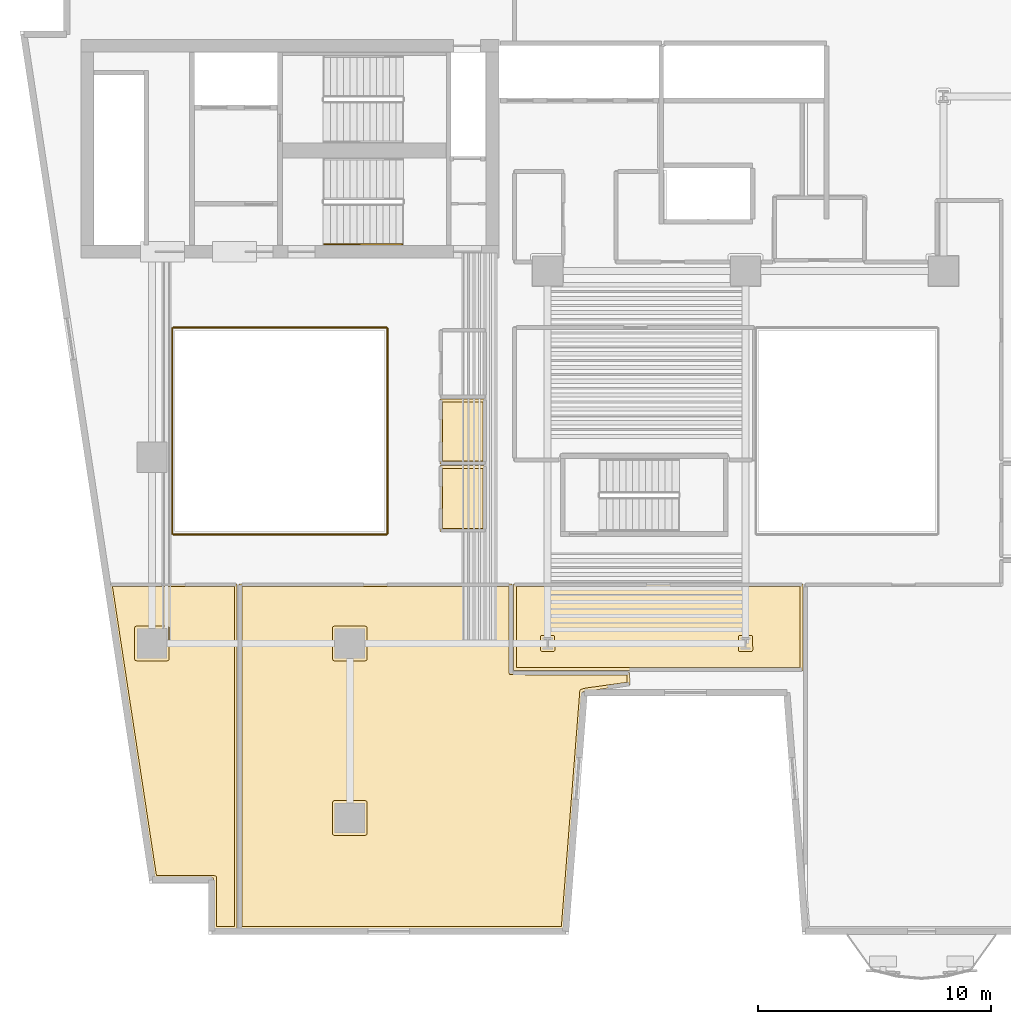
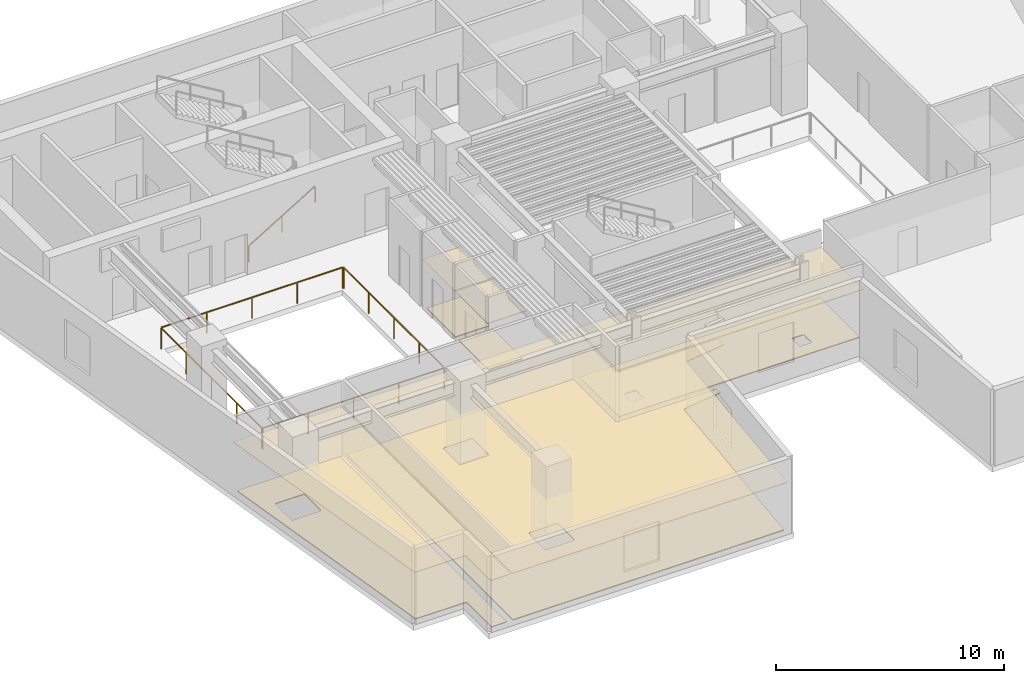
# One storey, part 7 of 11: 10 coverings, 5 railings.
"""IFC4 building model written with IfcOpenShell, lengths in metres."""

from ifc_helpers import new_model, si_unit, direction, frame, origin, origin_2d, place, context, subcontext, project, spatial, polyline, rectangle, outline, extrude, material, layer, layer_set, type_object, element, save


model = new_model("IFC4")

# Units and contexts
model_context = context("Model", 3, precision=1e-05, world=origin(), true_north=direction((0.0, 1.0)))
body_context = subcontext(model_context, "Body", "Model", "MODEL_VIEW")
ifc_project = project(units=[si_unit("LENGTHUNIT", "METRE"), si_unit("AREAUNIT", "SQUARE_METRE"), si_unit("VOLUMEUNIT", "CUBIC_METRE"), si_unit("PLANEANGLEUNIT", "RADIAN"), si_unit("MASSUNIT", "GRAM", prefix="KILO")], contexts=[model_context])

# Site, building, storey
site_placement = place(None, origin())
site = spatial("IfcSite", under=ifc_project, at=site_placement, CompositionType="ELEMENT")
building_placement = place(site_placement, origin())
building = spatial("IfcBuilding", under=site, at=building_placement, Name="Caeloran Harvest Quay", CompositionType="ELEMENT")
storey_placement = place(building_placement, frame((0.0, 0.0, 101.800048828125)))
storey = spatial("IfcBuildingStorey", under=building, at=storey_placement, Name="L23", CompositionType="ELEMENT", Elevation=101.800048828125)

# Coverings
ifc_material_1 = material(Name="Perforated Mineral-Fibre Acoustic Ceiling Tile", Category="ceiling")
ifc_layer_1 = layer(ifc_material_1, 0.0400390625, Name="Perforated Mineral-Fibre Acoustic Ceiling Tile")
ifc_layer_set_1 = layer_set([ifc_layer_1], Name="Perforated Mineral-Fibre Acoustic Ceiling Tile")
covering_type_1 = type_object("IfcCoveringType", Name="COV-CEILING-ACOUSTIC", PredefinedType="CEILING", material=ifc_layer_set_1)
covering_1_placement = place(storey_placement, frame((0.0, 0.0, 2.599853515625)))
element("IfcCovering", 1, at=covering_1_placement, inside=storey, type_object=covering_type_1, Name="L23 Female Washroom WC Acoustic Ceiling", PredefinedType="CEILING", context=body_context, shape_type="SweptSolid", body=[
    extrude(outline(polyline([(22.840087890625, 22.7099609375), (20.8701171875, 22.7099609375), (20.8701171875, 25.489990234375), (22.840087890625, 25.489990234375), (22.840087890625, 22.7099609375)])), origin(), (0.0, 0.0, 1.0), 0.0400390625),
])
covering_2_placement = place(storey_placement, frame((0.0, 0.0, 2.599853515625)))
element("IfcCovering", 2, at=covering_2_placement, inside=storey, type_object=covering_type_1, Name="L23 Accessible Unisex Washroom WC Acoustic Ceiling", PredefinedType="CEILING", context=body_context, shape_type="SweptSolid", body=[
    extrude(outline(polyline([(22.840087890625, 19.81005859375), (20.8701171875, 19.81005859375), (20.8701171875, 22.639892578125), (22.840087890625, 22.639892578125), (22.840087890625, 19.81005859375)])), origin(), (0.0, 0.0, 1.0), 0.0400390625),
])
covering_3_placement = place(storey_placement, frame((0.0, 0.0, 2.599853515625)))
element("IfcCovering", 3, at=covering_3_placement, inside=storey, type_object=covering_type_1, Name="Executive Agronomy Design Studio Acoustic Ceiling", PredefinedType="CEILING", context=body_context, shape_type="SweptSolid", body=[
    extrude(outline(polyline([(29.0078125, 13.760009765625), (29.047607421875, 13.2294921875), (27.3232421875, 12.969970703125), (27.18115234375, 12.968994140625), (26.99560546875, 12.920654296875), (26.199462890625, 2.719970703125), (12.239990234375, 2.719970703125), (12.239990234375, 17.56005859375), (23.9599609375, 17.56005859375), (23.9599609375, 13.760009765625), (29.0078125, 13.760009765625)])), origin(), (0.0, 0.0, 1.0), 0.0400390625),
])
covering_4_placement = place(storey_placement, frame((0.0, 0.0, 2.599853515625)))
element("IfcCovering", 4, at=covering_4_placement, inside=storey, type_object=covering_type_1, Name="Regional Food Policy Boardroom Acoustic Ceiling", PredefinedType="CEILING", context=body_context, shape_type="SweptSolid", body=[
    extrude(outline(polyline([(12.159912109375, 2.719970703125), (11.156982421875, 2.719970703125), (11.156982421875, 4.919921875), (8.59130859375, 4.919921875), (6.668701171875, 17.56005859375), (12.159912109375, 17.56005859375), (12.159912109375, 2.719970703125)])), origin(), (0.0, 0.0, 1.0), 0.0400390625),
])
covering_5_placement = place(storey_placement, frame((0.0, 0.0, 2.599853515625)))
element("IfcCovering", 5, at=covering_5_placement, inside=storey, type_object=covering_type_1, Name="Client Briefing Conference Room Acoustic Ceiling", PredefinedType="CEILING", context=body_context, shape_type="SweptSolid", body=[
    extrude(outline(polyline([(36.4599609375, 13.840087890625), (24.0400390625, 13.840087890625), (24.0400390625, 17.56005859375), (36.4599609375, 17.56005859375), (36.4599609375, 13.840087890625)])), origin(), (0.0, 0.0, 1.0), 0.0400390625),
])
ifc_material_2 = material(Name="Calcium-Sulphate Raised Access Floor and Terrazzo Finish", Category="flooring")
ifc_layer_2 = layer(ifc_material_2, 0.050048828125, Name="Calcium-Sulphate Raised Access Floor and Terrazzo Finish")
ifc_layer_set_2 = layer_set([ifc_layer_2], Name="Calcium-Sulphate Raised Access Floor and Terrazzo Finish")
covering_type_2 = type_object("IfcCoveringType", Name="COV-FLOOR-RAISED", PredefinedType="FLOORING", material=ifc_layer_set_2)
covering_6_placement = place(storey_placement, origin())
element("IfcCovering", 6, at=covering_6_placement, inside=storey, type_object=covering_type_2, Name="L23 Female Washroom WC Raised Finish Flooring", PredefinedType="FLOORING", context=body_context, shape_type="SweptSolid", body=[
    extrude(outline(polyline([(22.719970703125, 22.830078125), (20.989990234375, 22.830078125), (20.989990234375, 25.3701171875), (22.719970703125, 25.3701171875), (22.719970703125, 22.830078125)])), origin(), (0.0, 0.0, 1.0), 0.050048828125),
])
covering_7_placement = place(storey_placement, origin())
element("IfcCovering", 7, at=covering_7_placement, inside=storey, type_object=covering_type_2, Name="L23 Accessible Unisex Washroom WC Raised Finish Flooring", PredefinedType="FLOORING", context=body_context, shape_type="SweptSolid", body=[
    extrude(outline(polyline([(22.719970703125, 19.929931640625), (20.989990234375, 19.929931640625), (20.989990234375, 22.52001953125), (22.719970703125, 22.52001953125), (22.719970703125, 19.929931640625)])), origin(), (0.0, 0.0, 1.0), 0.050048828125),
])
covering_8_placement = place(storey_placement, origin())
element("IfcCovering", 8, at=covering_8_placement, inside=storey, type_object=covering_type_2, Name="Executive Agronomy Design Studio Raised Finish Flooring", PredefinedType="FLOORING", context=body_context, shape_type="SweptSolid", body=[
    extrude(outline(polyline([(23.840087890625, 17.43994140625), (23.840087890625, 13.719970703125), (23.869140625, 13.658203125), (28.896484375, 13.639892578125), (28.91943359375, 13.33154296875), (27.1396484375, 13.083984375), (26.92431640625, 13.028076171875), (26.881103515625, 12.976806640625), (26.08837890625, 2.840087890625), (12.360107421875, 2.840087890625), (12.360107421875, 17.43994140625), (23.840087890625, 17.43994140625)]), holes=[polyline([(16.3349609375, 8.2451171875), (16.2783203125, 8.2216796875), (16.2548828125, 8.1650390625), (16.2548828125, 6.8349609375), (16.2783203125, 6.7783203125), (16.3349609375, 6.7548828125), (17.6650390625, 6.7548828125), (17.7216796875, 6.7783203125), (17.7451171875, 6.8349609375), (17.7451171875, 8.1650390625), (17.7216796875, 8.2216796875), (17.6650390625, 8.2451171875), (16.3349609375, 8.2451171875)]), polyline([(16.3349609375, 15.7451171875), (16.2783203125, 15.7216796875), (16.2548828125, 15.6650390625), (16.2548828125, 14.3349609375), (16.2783203125, 14.2783203125), (16.3349609375, 14.2548828125), (17.6650390625, 14.2548828125), (17.7216796875, 14.2783203125), (17.7451171875, 14.3349609375), (17.7451171875, 15.6650390625), (17.7216796875, 15.7216796875), (17.6650390625, 15.7451171875), (16.3349609375, 15.7451171875)])]), origin(), (0.0, 0.0, 1.0), 0.050048828125),
])
covering_9_placement = place(storey_placement, origin())
element("IfcCovering", 9, at=covering_9_placement, inside=storey, type_object=covering_type_2, Name="Regional Food Policy Boardroom Raised Finish Flooring", PredefinedType="FLOORING", context=body_context, shape_type="SweptSolid", body=[
    extrude(outline(polyline([(12.0400390625, 17.43994140625), (12.0400390625, 2.840087890625), (11.277099609375, 2.840087890625), (11.277099609375, 4.9599609375), (11.247802734375, 5.021728515625), (8.694580078125, 5.0400390625), (6.80810546875, 17.43994140625), (12.0400390625, 17.43994140625)]), holes=[polyline([(7.8349609375, 15.7451171875), (7.7783203125, 15.7216796875), (7.7548828125, 15.6650390625), (7.7548828125, 14.3349609375), (7.7783203125, 14.2783203125), (7.8349609375, 14.2548828125), (9.1650390625, 14.2548828125), (9.2216796875, 14.2783203125), (9.2451171875, 14.3349609375), (9.2451171875, 15.6650390625), (9.2216796875, 15.7216796875), (9.1650390625, 15.7451171875), (7.8349609375, 15.7451171875)])]), origin(), (0.0, 0.0, 1.0), 0.050048828125),
])
covering_10_placement = place(storey_placement, origin())
element("IfcCovering", 10, at=covering_10_placement, inside=storey, type_object=covering_type_2, Name="Client Briefing Conference Room Raised Finish Flooring", PredefinedType="FLOORING", context=body_context, shape_type="SweptSolid", body=[
    extrude(outline(polyline([(24.159912109375, 17.43994140625), (36.340087890625, 17.43994140625), (36.340087890625, 13.9599609375), (24.159912109375, 13.9599609375), (24.159912109375, 17.43994140625)]), holes=[polyline([(34.3134765625, 14.72802734375), (34.29541015625, 15.32275390625), (34.2412109375, 15.3515625), (33.7666015625, 15.35205078125), (33.7099609375, 15.32861328125), (33.6865234375, 15.27197265625), (33.6865234375, 14.72802734375), (33.7099609375, 14.67138671875), (33.7666015625, 14.64794921875), (34.2333984375, 14.64794921875), (34.2900390625, 14.67138671875), (34.3134765625, 14.72802734375)]), polyline([(25.8134765625, 14.72802734375), (25.79541015625, 15.32275390625), (25.7412109375, 15.3515625), (25.2666015625, 15.35205078125), (25.2099609375, 15.32861328125), (25.1865234375, 15.27197265625), (25.1865234375, 14.72802734375), (25.2099609375, 14.67138671875), (25.2666015625, 14.64794921875), (25.7333984375, 14.64794921875), (25.7900390625, 14.67138671875), (25.8134765625, 14.72802734375)])]), origin(), (0.0, 0.0, 1.0), 0.050048828125),
])

# Railings
ifc_material_3 = material(Name="Powder-Coated Steel Post and Laminated Glass Guardrail", Category="steel")
ifc_layer_3 = layer(ifc_material_3, 0.06005859375, Name="Powder-Coated Steel Post and Laminated Glass Guardrail")
ifc_layer_set_3 = layer_set([ifc_layer_3], Name="Powder-Coated Steel Post and Laminated Glass Guardrail")
railing_type_1 = type_object("IfcRailingType", Name="GUARD-ATRIUM-1150", PredefinedType="GUARDRAIL", material=ifc_layer_set_3)
railing_1_placement = place(storey_placement, frame((9.412109375, 19.679931640625, 0.0)))
element("IfcRailing", 11, at=railing_1_placement, inside=storey, type_object=railing_type_1, Name="L23 Skylit Atrium Void Perimeter Guardrail Seg 1", PredefinedType="GUARDRAIL", context=body_context, shape_type="SweptSolid", body=[
    extrude(rectangle(XDim=0.048095703125, YDim=0.048095703125, at=origin_2d()), frame((0.0, 0.0, 1.1259765625), z_axis=(1.0, 0.0, 0.0), x_axis=(0.0, 1.0, 0.0)), (0.0, 0.0, 1.0), 9.17578125),
    extrude(rectangle(XDim=0.0419921875, YDim=0.0419921875, at=origin_2d()), origin(), (0.0, 0.0, 1.0), 1.101806640625),
    extrude(rectangle(XDim=0.0419921875, YDim=0.0419921875, at=origin_2d()), frame((2.2939453125, 0.0, 0.0)), (0.0, 0.0, 1.0), 1.101806640625),
    extrude(rectangle(XDim=0.0419921875, YDim=0.0419921875, at=origin_2d()), frame((4.587890625, 0.0, 0.0)), (0.0, 0.0, 1.0), 1.101806640625),
    extrude(rectangle(XDim=0.0419921875, YDim=0.0419921875, at=origin_2d()), frame((6.8818359375, 0.0, 0.0)), (0.0, 0.0, 1.0), 1.101806640625),
    extrude(rectangle(XDim=0.0419921875, YDim=0.0419921875, at=origin_2d()), frame((9.17578125, 0.0, 0.0)), (0.0, 0.0, 1.0), 1.101806640625),
])
railing_2_placement = place(storey_placement, frame((18.6201171875, 19.7119140625, 0.0)))
element("IfcRailing", 12, at=railing_2_placement, inside=storey, type_object=railing_type_1, Name="L23 Skylit Atrium Void Perimeter Guardrail Seg 2", PredefinedType="GUARDRAIL", context=body_context, shape_type="SweptSolid", body=[
    extrude(rectangle(XDim=0.048095703125, YDim=0.048095703125, at=origin_2d()), frame((0.0, 0.0, 1.1259765625), z_axis=(0.0, 1.0, 0.0), x_axis=(-1.0, 0.0, 0.0)), (0.0, 0.0, 1.0), 8.826171875),
    extrude(rectangle(XDim=0.0419921875, YDim=0.0419921875, at=origin_2d()), origin(), (0.0, 0.0, 1.0), 1.101806640625),
    extrude(rectangle(XDim=0.0419921875, YDim=0.0419921875, at=origin_2d()), frame((0.0, 2.20654296875, 0.0)), (0.0, 0.0, 1.0), 1.101806640625),
    extrude(rectangle(XDim=0.0419921875, YDim=0.0419921875, at=origin_2d()), frame((0.0, 4.4130859375, 0.0)), (0.0, 0.0, 1.0), 1.101806640625),
    extrude(rectangle(XDim=0.0419921875, YDim=0.0419921875, at=origin_2d()), frame((0.0, 6.61962890625, 0.0)), (0.0, 0.0, 1.0), 1.101806640625),
    extrude(rectangle(XDim=0.0419921875, YDim=0.0419921875, at=origin_2d()), frame((0.0, 8.826171875, 0.0)), (0.0, 0.0, 1.0), 1.101806640625),
])
railing_3_placement = place(storey_placement, frame((18.587890625, 28.570068359375, 0.0)))
element("IfcRailing", 13, at=railing_3_placement, inside=storey, type_object=railing_type_1, Name="L23 Skylit Atrium Void Perimeter Guardrail Seg 3", PredefinedType="GUARDRAIL", context=body_context, shape_type="SweptSolid", body=[
    extrude(rectangle(XDim=0.048095703125, YDim=0.048095703125, at=origin_2d()), frame((0.0, 0.0, 1.1259765625), z_axis=(-1.0, 0.0, 0.0), x_axis=(0.0, -1.0, 0.0)), (0.0, 0.0, 1.0), 9.17578125),
    extrude(rectangle(XDim=0.0419921875, YDim=0.0419921875, at=origin_2d()), origin(), (0.0, 0.0, 1.0), 1.101806640625),
    extrude(rectangle(XDim=0.0419921875, YDim=0.0419921875, at=origin_2d()), frame((-2.2939453125, 0.0, 0.0)), (0.0, 0.0, 1.0), 1.101806640625),
    extrude(rectangle(XDim=0.0419921875, YDim=0.0419921875, at=origin_2d()), frame((-4.587890625, 0.0, 0.0)), (0.0, 0.0, 1.0), 1.101806640625),
    extrude(rectangle(XDim=0.0419921875, YDim=0.0419921875, at=origin_2d()), frame((-6.8818359375, 0.0, 0.0)), (0.0, 0.0, 1.0), 1.101806640625),
    extrude(rectangle(XDim=0.0419921875, YDim=0.0419921875, at=origin_2d()), frame((-9.17578125, 0.0, 0.0)), (0.0, 0.0, 1.0), 1.101806640625),
])
railing_4_placement = place(storey_placement, frame((9.3798828125, 28.5380859375, 0.0)))
element("IfcRailing", 14, at=railing_4_placement, inside=storey, type_object=railing_type_1, Name="L23 Skylit Atrium Void Perimeter Guardrail Seg 4", PredefinedType="GUARDRAIL", context=body_context, shape_type="SweptSolid", body=[
    extrude(rectangle(XDim=0.048095703125, YDim=0.048095703125, at=origin_2d()), frame((0.0, 0.0, 1.1259765625), z_axis=(0.0, -1.0, 0.0), x_axis=(1.0, 0.0, 0.0)), (0.0, 0.0, 1.0), 8.826171875),
    extrude(rectangle(XDim=0.0419921875, YDim=0.0419921875, at=origin_2d()), origin(), (0.0, 0.0, 1.0), 1.101806640625),
    extrude(rectangle(XDim=0.0419921875, YDim=0.0419921875, at=origin_2d()), frame((0.0, -2.20654296875, 0.0)), (0.0, 0.0, 1.0), 1.101806640625),
    extrude(rectangle(XDim=0.0419921875, YDim=0.0419921875, at=origin_2d()), frame((0.0, -4.4130859375, 0.0)), (0.0, 0.0, 1.0), 1.101806640625),
    extrude(rectangle(XDim=0.0419921875, YDim=0.0419921875, at=origin_2d()), frame((0.0, -6.61962890625, 0.0)), (0.0, 0.0, 1.0), 1.101806640625),
    extrude(rectangle(XDim=0.0419921875, YDim=0.0419921875, at=origin_2d()), frame((0.0, -8.826171875, 0.0)), (0.0, 0.0, 1.0), 1.101806640625),
])
ifc_material_4 = material(Name="Brushed Stainless Steel Grade 304", Category="steel")
ifc_layer_4 = layer(ifc_material_4, 0.050048828125, Name="Brushed Stainless Steel Grade 304")
ifc_layer_set_4 = layer_set([ifc_layer_4], Name="Brushed Stainless Steel Grade 304")
railing_type_2 = type_object("IfcRailingType", Name="STAIR-HANDRAIL-900", PredefinedType="HANDRAIL", material=ifc_layer_set_4)
railing_5_placement = place(storey_placement, frame((15.89990234375, 32.14990234375, 0.169189453125)))
element("IfcRailing", 15, at=railing_5_placement, inside=storey, type_object=railing_type_2, Name="L23 ST-C2 stair handrail 1", PredefinedType="HANDRAIL", context=body_context, shape_type="SweptSolid", body=[
    extrude(rectangle(XDim=0.048095703125, YDim=0.048095703125, at=origin_2d()), frame((0.0, 0.0, 0.8759765625), z_axis=(0.855836976705, 0.0, 0.517245656632), x_axis=(0.0, 1.0, 0.0)), (0.0, 0.0, 1.0), 3.926025390625),
    extrude(rectangle(XDim=0.0419921875, YDim=0.0419921875, at=origin_2d()), origin(), (0.0, 0.0, 1.0), 0.851806640625),
    extrude(rectangle(XDim=0.0419921875, YDim=0.0419921875, at=origin_2d()), frame((1.68017578125, 0.0, 1.015380859375)), (0.0, 0.0, 1.0), 0.851806640625),
    extrude(rectangle(XDim=0.0419921875, YDim=0.0419921875, at=origin_2d()), frame((3.360107421875, 0.0, 2.03076171875)), (0.0, 0.0, 1.0), 0.851806640625),
])

save(model, "model.ifc")
